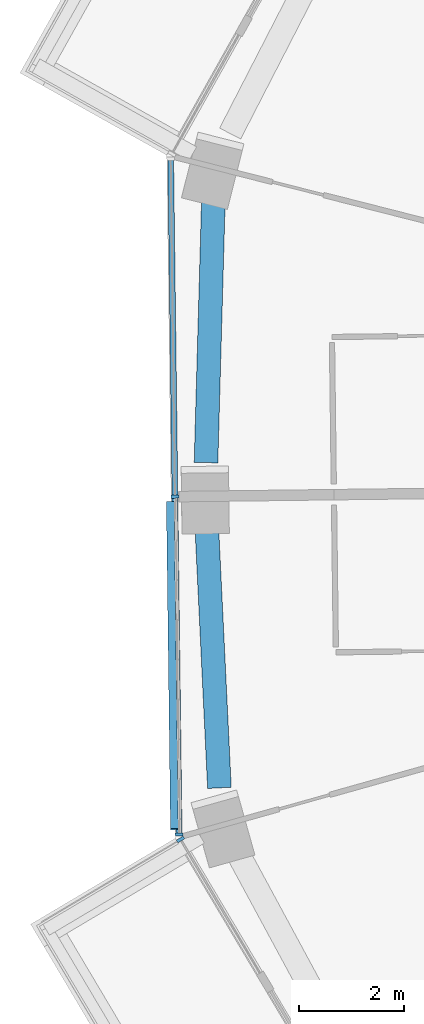
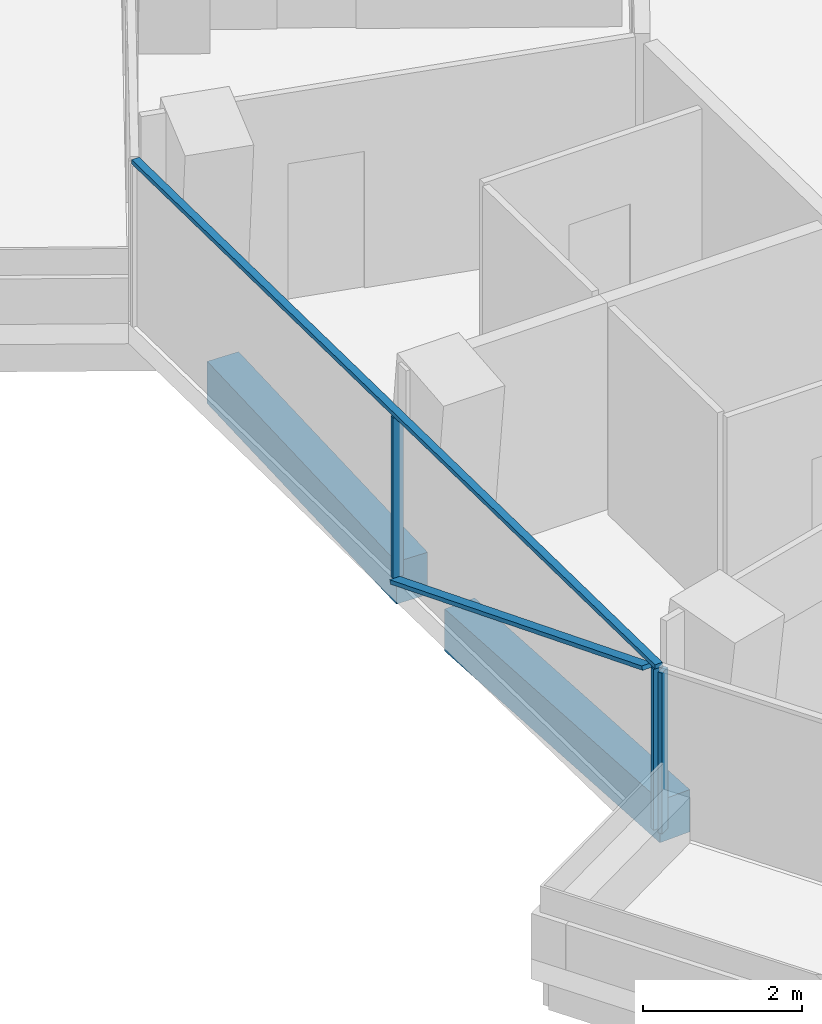
# One storey, part 4 of 21: 5 members, 2 beams, 2 elements without a shape of their own.
"""IFC4 building model written with IfcOpenShell, lengths in metres."""

from ifc_helpers import new_model, si_unit, direction, frame, origin, origin_2d, place, context, subcontext, project, spatial, rectangle, extrude, material, layer, layer_set, material_profile, profile_set, type_object, element, aggregate, save


model = new_model("IFC4")

# Units and contexts
model_context = context("Model", 3, precision=1e-05, world=origin(), true_north=direction((0.0, 1.0)))
body_context = subcontext(model_context, "Body", "Model", "MODEL_VIEW")
ifc_project = project(units=[si_unit("LENGTHUNIT", "METRE"), si_unit("AREAUNIT", "SQUARE_METRE"), si_unit("VOLUMEUNIT", "CUBIC_METRE"), si_unit("PLANEANGLEUNIT", "RADIAN"), si_unit("MASSUNIT", "GRAM", prefix="KILO")], contexts=[model_context])

# Site, building, storey
site_placement = place(None, origin())
site = spatial("IfcSite", under=ifc_project, at=site_placement, CompositionType="ELEMENT")
building_placement = place(site_placement, origin())
building = spatial("IfcBuilding", under=site, at=building_placement, Name="Verdalira Terraces Hotel", CompositionType="ELEMENT")
storey_placement = place(building_placement, frame((0.0, 0.0, 158.5)))
storey = spatial("IfcBuildingStorey", under=building, at=storey_placement, Name="L38", CompositionType="ELEMENT", Elevation=158.5)

# Curtain wall, members
ifc_material_1 = material(Name="Clear glass", Category="glass")
ifc_layer = layer(ifc_material_1, 0.14990234375)
ifc_layer_set = layer_set([ifc_layer], Name="CW1 curtain wall")
curtain_wall_type = type_object("IfcCurtainWallType", Name="CW1 curtain wall", PredefinedType="NOTDEFINED", material=ifc_layer_set)
curtain_wall_1_placement = place(storey_placement, origin())
curtain_wall_1 = element("IfcCurtainWall", 1, at=curtain_wall_1_placement, inside=storey, type_object=curtain_wall_type, Name="CW1 curtain wall L38 edge 12", PredefinedType="NOTDEFINED")
ifc_material_2 = material(Name="Terracotta frame", Category="masonry")
ifc_material_profile_1 = material_profile(ifc_material_2, rectangle(XDim=0.060059, YDim=0.149902, at=origin_2d()), Name="MU 60x150")
ifc_profile_set_1 = profile_set([ifc_material_profile_1], Name="Terracotta frame")
member_type_1 = type_object("IfcMemberType", Name="CW1 mullion 60x150", PredefinedType="MULLION", material=ifc_profile_set_1)
member_1_placement = place(storey_placement, frame((-24.181396, -0.303955, 0.0), z_axis=(0.0, 0.0, 1.0), x_axis=(0.01256604, -0.999921044, 0.0)))
member_1 = element("IfcMember", 2, at=member_1_placement, type_object=member_type_1, Name="CW1 mullion", PredefinedType="MULLION", context=body_context, shape_type="SweptSolid", body=[
    extrude(rectangle(XDim=0.060059, YDim=0.149902, at=origin_2d()), origin(), (0.0, 0.0, 1.0), 2.475098),
])
member_2_placement = place(storey_placement, frame((-24.100586, -6.733154, 0.0), z_axis=(0.0, 0.0, 1.0), x_axis=(0.01256604, -0.999921044, 0.0)))
member_2 = element("IfcMember", 3, at=member_2_placement, type_object=member_type_1, Name="CW1 mullion", PredefinedType="MULLION", context=body_context, shape_type="SweptSolid", body=[
    extrude(rectangle(XDim=0.060059, YDim=0.149902, at=origin_2d()), origin(), (0.0, 0.0, 1.0), 2.475098),
])

# Curtain wall, member
curtain_wall_2_placement = place(storey_placement, origin())
curtain_wall_2 = element("IfcCurtainWall", 4, at=curtain_wall_2_placement, inside=storey, type_object=curtain_wall_type, Name="CW1 curtain wall L38 edge 13", PredefinedType="NOTDEFINED")
member_3_placement = place(storey_placement, frame((-24.074463, -6.826416, 0.0), z_axis=(0.0, 0.0, 1.0), x_axis=(0.510843032, -0.859674006, 0.0)))
member_3 = element("IfcMember", 5, at=member_3_placement, type_object=member_type_1, Name="CW1 mullion", PredefinedType="MULLION", context=body_context, shape_type="SweptSolid", body=[
    extrude(rectangle(XDim=0.060059, YDim=0.149902, at=origin_2d()), origin(), (0.0, 0.0, 1.0), 2.475098),
])
aggregate(curtain_wall_2, [member_3])

# Member
ifc_material_3 = material(Name="Terracotta frame", Category="masonry")
ifc_material_profile_2 = material_profile(ifc_material_3, rectangle(XDim=0.110107, YDim=0.064941, at=origin_2d()), Name="TR 65x110")
ifc_profile_set_2 = profile_set([ifc_material_profile_2], Name="Terracotta frame")
member_type_2 = type_object("IfcMemberType", Name="CW1 transom 65x110", PredefinedType="USERDEFINED", material=ifc_profile_set_2)
member_4_placement = place(storey_placement, frame((-24.262695, 6.155518, 2.507568), z_axis=(0.012566333, -0.999921041, 0.0), x_axis=(0.999921041, 0.012566333, 0.0)))
member_4 = element("IfcMember", 6, at=member_4_placement, type_object=member_type_2, Name="CW1 transom", ObjectType="TRANSOM", PredefinedType="USERDEFINED", context=body_context, shape_type="SweptSolid", body=[
    extrude(rectangle(XDim=0.110107, YDim=0.064941, at=origin_2d()), origin(), (0.0, 0.0, 1.0), 12.919678),
])

ifc_material_4 = material(Name="Terracotta frame", Category="masonry")
ifc_material_profile_3 = material_profile(ifc_material_4, rectangle(XDim=0.149902, YDim=0.060059, at=origin_2d()), Name="GB 60x150")
ifc_profile_set_3 = profile_set([ifc_material_profile_3], Name="Terracotta frame")
member_type_3 = type_object("IfcMemberType", Name="Diagonal glazing bar 60x150", PredefinedType="USERDEFINED", material=ifc_profile_set_3)
member_5_placement = place(storey_placement, frame((-24.269043, -0.408936, 0.028809), z_axis=(0.011703995, -0.932040327, 0.362165495), x_axis=(0.999921165, 0.012556401, 0.0)))
member_5 = element("IfcMember", 7, at=member_5_placement, type_object=member_type_3, Name="Diagonal glazing bar", ObjectType="GLAZING BAR", PredefinedType="USERDEFINED", context=body_context, shape_type="SweptSolid", body=[
    extrude(rectangle(XDim=0.149902, YDim=0.060059, at=origin_2d()), origin(), (0.0, 0.0, 1.0), 6.675049),
])

aggregate(curtain_wall_1, [member_1, member_2, member_4, member_5])

# Beams
ifc_material_5 = material(Name="Concrete C50", Category="concrete")
ifc_material_profile_4 = material_profile(ifc_material_5, rectangle(XDim=0.449951, YDim=0.649902, at=origin_2d()), Name="RC 450X650")
ifc_profile_set_4 = profile_set([ifc_material_profile_4], Name="Concrete C50")
beam_type = type_object("IfcBeamType", Name="Spandrel beam RC 450X650 C50", PredefinedType="SPANDREL", material=ifc_profile_set_4)
beam_1_placement = place(storey_placement, frame((-23.449219, 5.358154, -0.63501), z_axis=(-0.028085916, -0.999605513, 0.0), x_axis=(0.999605513, -0.028085916, 0.0)))
element("IfcBeam", 8, at=beam_1_placement, inside=storey, type_object=beam_type, Name="Spandrel beam B04", PredefinedType="SPANDREL", context=body_context, shape_type="SweptSolid", body=[
    extrude(rectangle(XDim=0.449951, YDim=0.649902, at=origin_2d()), origin(), (0.0, 0.0, 1.0), 5.015625),
])
beam_2_placement = place(storey_placement, frame((-23.577637, -0.837891, -0.63501), z_axis=(0.048463005, -0.998824978, 0.0), x_axis=(0.998824978, 0.048463005, 0.0)))
element("IfcBeam", 9, at=beam_2_placement, inside=storey, type_object=beam_type, Name="Spandrel beam B05", PredefinedType="SPANDREL", context=body_context, shape_type="SweptSolid", body=[
    extrude(rectangle(XDim=0.449951, YDim=0.649902, at=origin_2d()), origin(), (0.0, 0.0, 1.0), 5.012451),
])

save(model, "model.ifc")
